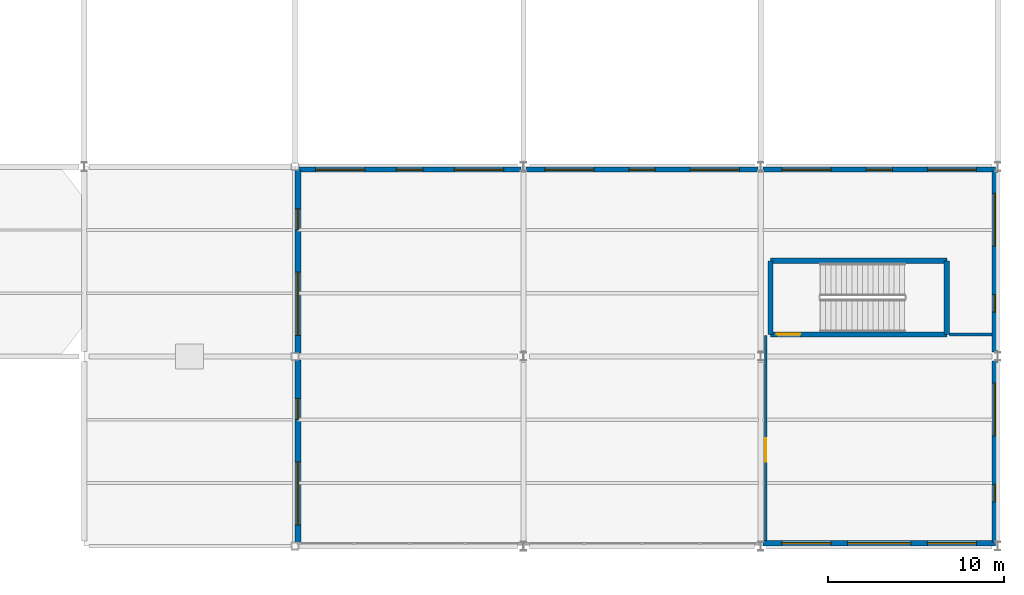
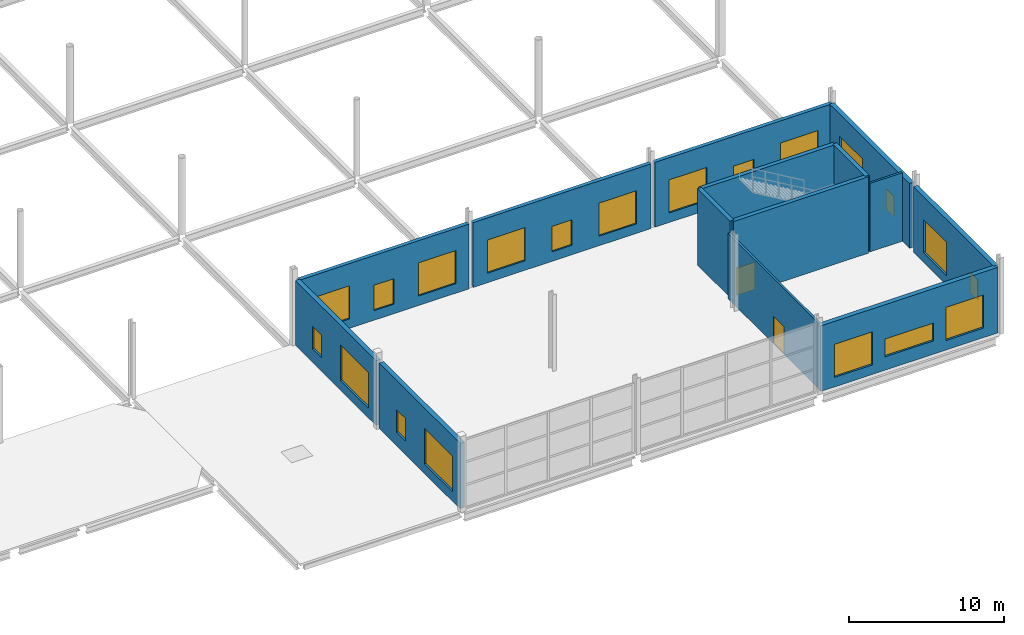
# One storey, part 172 of 191: 20 windows, 14 walls, 2 doors, 22 openings.
"""IFC4 building model written with IfcOpenShell, lengths in metres."""

import ifcopenshell
import ifcopenshell.guid

model = None  # the IFC model being written
_history = None  # IfcOwnerHistory: only IFC2X3 demands one
_inside = {}  # id of a spatial element -> (the spatial element, [elements in it])
_under = {}  # id of a project, library or spatial element -> (it, [spatial elements below it])
_declared = {}  # id of a project -> (the project, [libraries it declares])
_typed = {}  # id of a type object -> (the type object, [elements of that type])
_made_of = {}  # id of a material, layer set ... -> (it, [elements and type objects made of it])


def new_model(schema):
    """Start an empty IFC model of exactly this schema.

    Asked for "IFC4X3", IfcOpenShell would pick the latest addendum, in which some entities
    have other attributes; the version numbers below select the first issue.
    IFC2X3 requires an IfcOwnerHistory on every rooted entity: one is made here for all.
    """
    global model, _history
    if schema == "IFC4X3":
        model = ifcopenshell.file(schema_version=(4, 3, 0, 0))
    else:
        model = ifcopenshell.file(schema=schema)
    _inside.clear()
    _under.clear()
    _declared.clear()
    _typed.clear()
    _made_of.clear()
    _history = None
    if model.schema == "IFC2X3":
        org = make("IfcOrganization", Name="unknown")
        user = make(
            "IfcPersonAndOrganization",
            ThePerson=make("IfcPerson", FamilyName="unknown"),
            TheOrganization=org,
        )
        app = make(
            "IfcApplication",
            ApplicationDeveloper=org,
            Version="unknown",
            ApplicationFullName="unknown",
            ApplicationIdentifier="unknown",
        )
        _history = make(
            "IfcOwnerHistory",
            OwningUser=user,
            OwningApplication=app,
            ChangeAction="ADDED",
            CreationDate=0,
        )
    return model


def make(cls, **values):
    """One entity of the class cls with the attributes given. An attribute that is None is left unset."""
    return model.create_entity(
        cls, **{name: value for name, value in values.items() if value is not None}
    )


def rooted(cls, **values):
    """An entity with a GlobalId (a new one), such as an element, a storey or a relation."""
    return make(cls, GlobalId=ifcopenshell.guid.new(), OwnerHistory=_history, **values)


def si_unit(unit_type, name, prefix=None):
    """IfcSIUnit, for example si_unit("LENGTHUNIT", "METRE", prefix="MILLI")."""
    return make("IfcSIUnit", UnitType=unit_type, Prefix=prefix, Name=name)


def assignment(units):
    """IfcUnitAssignment: the units of a project."""
    return None if units is None else make("IfcUnitAssignment", Units=units)


def point(xyz):
    """IfcCartesianPoint."""
    return None if xyz is None else make("IfcCartesianPoint", Coordinates=xyz)


def direction(xyz):
    """IfcDirection."""
    return None if xyz is None else make("IfcDirection", DirectionRatios=xyz)


def frame(location, z_axis=None, x_axis=None):
    """IfcAxis2Placement3D, a coordinate frame: its origin and axes. An axis left out is left unset."""
    return make(
        "IfcAxis2Placement3D",
        Location=point(location),
        Axis=direction(z_axis),
        RefDirection=direction(x_axis),
    )


def frame_2d(location, x_axis=None):
    """IfcAxis2Placement2D, a coordinate frame in the plane: its origin and x axis."""
    return make(
        "IfcAxis2Placement2D", Location=point(location), RefDirection=direction(x_axis)
    )


def origin():
    """The frame at (0, 0, 0) with its axes left unset."""
    return frame((0.0, 0.0, 0.0))


def place(relative_to, where):
    """IfcLocalPlacement: puts the frame where relative to a parent placement (None: the world)."""
    return make(
        "IfcLocalPlacement", PlacementRelTo=relative_to, RelativePlacement=where
    )


def context(
    kind, dimensions, precision=None, world=None, true_north=None, identifier=None
):
    """IfcGeometricRepresentationContext, for example the 3D "Model" context."""
    return make(
        "IfcGeometricRepresentationContext",
        ContextIdentifier=identifier,
        ContextType=kind,
        CoordinateSpaceDimension=dimensions,
        Precision=precision,
        WorldCoordinateSystem=world,
        TrueNorth=true_north,
    )


def subcontext(parent, identifier, kind, view, scale=None):
    """IfcGeometricRepresentationSubContext, for example "Body" below "Model"."""
    return make(
        "IfcGeometricRepresentationSubContext",
        ContextIdentifier=identifier,
        ContextType=kind,
        ParentContext=parent,
        TargetScale=scale,
        TargetView=view,
    )


def project(units=None, contexts=None):
    """IfcProject with its units and contexts."""
    return rooted(
        "IfcProject",
        Name="project",
        RepresentationContexts=contexts,
        UnitsInContext=assignment(units),
    )


def spatial(cls, under=None, at=None, **own):
    """A site, building, storey or space (cls), placed at a placement, below another one or the project."""
    s = rooted(cls, ObjectPlacement=at, **own)
    if under is not None:
        _under.setdefault(under.id(), (under, []))[1].append(s)
    return s


def profile(cls, at=None, kind="AREA", **sizes):
    """A parametric profile (cls). Its sizes go by their IFC names, for example OverallWidth=200.0."""
    return make(cls, ProfileType=kind, Position=at, **sizes)


def rectangle(**sizes):
    """IfcRectangleProfileDef."""
    return profile("IfcRectangleProfileDef", **sizes)


def extrude(swept, where, along, depth):
    """IfcExtrudedAreaSolid: the profile swept, set in the frame where, extruded along a direction by depth."""
    return make(
        "IfcExtrudedAreaSolid",
        SweptArea=swept,
        Position=where,
        ExtrudedDirection=direction(along),
        Depth=depth,
    )


def shape(context_of_items, identifier, shape_type, items):
    """IfcShapeRepresentation: the items that make up one representation, for example the "Body"."""
    return make(
        "IfcShapeRepresentation",
        ContextOfItems=context_of_items,
        RepresentationIdentifier=identifier,
        RepresentationType=shape_type,
        Items=items,
    )


def material(Name=None, Category=None):
    """IfcMaterial."""
    return make("IfcMaterial", Name=Name, Category=Category)


def layer(
    of_material, thickness, ventilated=None, Name=None, Category=None, Priority=None
):
    """IfcMaterialLayer: one layer of a wall or slab, of a material (None: an air gap)."""
    return make(
        "IfcMaterialLayer",
        Material=of_material,
        LayerThickness=thickness,
        IsVentilated=ventilated,
        Name=Name,
        Category=Category,
        Priority=Priority,
    )


def layer_set(layers, Name=None):
    """IfcMaterialLayerSet."""
    return make("IfcMaterialLayerSet", MaterialLayers=layers, LayerSetName=Name)


def made_of(thing, what):
    """Note that an element or type object is made of a material, layer set ...; save() writes the relation."""
    if what is not None:
        _made_of.setdefault(what.id(), (what, []))[1].append(thing)
    return thing


def type_object(cls, material=None, **own):
    """A type object (cls), such as IfcWallType, which elements share."""
    return made_of(rooted(cls, **own), material)


def element(
    cls,
    number,
    at=None,
    inside=None,
    cuts=None,
    type_object=None,
    material=None,
    context=None,
    identifier="Body",
    shape_type=None,
    held_by="IfcProductDefinitionShape",
    body=None,
    shapes=None,
    **own,
):
    """One element of the class cls, such as IfcWall. Its Tag is "e" and its number.

    at: its placement. inside: the storey or other place that contains it. cuts: it is an
    opening in that element (IfcRelVoidsElement). A single representation is given by context,
    identifier, shape_type and body (its items); several are given by shapes. held_by: the class
    of the entity that holds the representations. save() writes the other relations.
    """
    e = rooted(cls, Tag="e%d" % number, ObjectPlacement=at, **own)
    if body is not None:
        shapes = [shape(context, identifier, shape_type, body)]
    if shapes is not None:
        e.Representation = make(held_by, Representations=shapes)
    if inside is not None:
        _inside.setdefault(inside.id(), (inside, []))[1].append(e)
    if cuts is not None:
        rooted(
            "IfcRelVoidsElement", RelatingBuildingElement=cuts, RelatedOpeningElement=e
        )
    if type_object is not None:
        _typed.setdefault(type_object.id(), (type_object, []))[1].append(e)
    return made_of(e, material)


def fill(opening, filler):
    """IfcRelFillsElement: the door or window that sits in an opening."""
    return rooted(
        "IfcRelFillsElement",
        RelatingOpeningElement=opening,
        RelatedBuildingElement=filler,
    )


def aggregate(whole, parts):
    """IfcRelAggregates: a whole, such as a stair, and the parts it consists of."""
    return rooted("IfcRelAggregates", RelatingObject=whole, RelatedObjects=parts)


def save(model, path):
    """Write the relations noted so far, then the file.

    IfcRelAggregates (storeys below a building ...), IfcRelContainedInSpatialStructure (elements
    in a storey), IfcRelDefinesByType, IfcRelAssociatesMaterial and IfcRelDeclares: one each for
    every whole, place, type object, material and project.
    """
    for whole, parts in _under.values():
        aggregate(whole, parts)
    for where, things in _inside.values():
        rooted(
            "IfcRelContainedInSpatialStructure",
            RelatedElements=things,
            RelatingStructure=where,
        )
    for kind, things in _typed.values():
        rooted("IfcRelDefinesByType", RelatedObjects=things, RelatingType=kind)
    for what, things in _made_of.values():
        rooted("IfcRelAssociatesMaterial", RelatedObjects=things, RelatingMaterial=what)
    for by, libraries in _declared.values():
        rooted("IfcRelDeclares", RelatingContext=by, RelatedDefinitions=libraries)
    model.write(path)


model = new_model("IFC4")

# Units and contexts
model_context = context("Model", 3, precision=1e-05, world=origin(), true_north=direction((0.0, 1.0)))
body_context = subcontext(model_context, "Body", "Model", "MODEL_VIEW")
ifc_project = project(units=[si_unit("LENGTHUNIT", "METRE"), si_unit("AREAUNIT", "SQUARE_METRE"), si_unit("VOLUMEUNIT", "CUBIC_METRE"), si_unit("PLANEANGLEUNIT", "RADIAN"), si_unit("MASSUNIT", "GRAM", prefix="KILO")], contexts=[model_context])

# Site, building, storey
site_placement = place(None, origin())
site = spatial("IfcSite", under=ifc_project, at=site_placement, CompositionType="ELEMENT")
building_placement = place(site_placement, origin())
building = spatial("IfcBuilding", under=site, at=building_placement, Name="Tamarisk Ironworks Central Station", CompositionType="ELEMENT")
storey_placement = place(building_placement, frame((0.0, 0.0, 6.60009765625)))
storey = spatial("IfcBuildingStorey", under=building, at=storey_placement, Name="L01", CompositionType="ELEMENT", Elevation=6.60009765625)

# Wall, openings, windows
ifc_material_1 = material(Name="Clay facing brickwork and mortar", Category="masonry")
ifc_layer_1 = layer(ifc_material_1, 0.280029296875)
ifc_layer_set_1 = layer_set([ifc_layer_1], Name="Clay facing brickwork and mortar")
wall_type_1 = type_object("IfcWallType", Name="WL-BR280", PredefinedType="STANDARD", material=ifc_layer_set_1)
wall_1_placement = place(storey_placement, frame((140.197998046875, 21.429931640625, 0.0), z_axis=(0.0, 0.0, 1.0), x_axis=(1.0, 0.0, 0.0)))
wall_1 = element("IfcWall", 1, at=wall_1_placement, inside=storey, type_object=wall_type_1, Name="L01 brick facade wall 0119", PredefinedType="STANDARD", context=body_context, shape_type="SweptSolid", body=[
    extrude(rectangle(XDim=12.654052734375, YDim=0.280029296875, at=frame_2d((6.3271484375, 0.0))), origin(), (0.0, 0.0, 1.0), 5.08984375),
])
opening_1_placement = place(wall_1_placement, frame((0.97607421875, 0.0, 0.75)))
opening_1 = element("IfcOpeningElement", 2, at=opening_1_placement, cuts=wall_1, Name="Opening W04", PredefinedType="OPENING", context=body_context, shape_type="SweptSolid", body=[
    extrude(rectangle(XDim=2.800048828125, YDim=2.60009765625, at=frame_2d((1.39990234375, 1.300048828125))), frame((0.0, 0.15185546875, 0.0), z_axis=(0.0, -1.0, 0.0), x_axis=(1.0, 0.0, 0.0)), (0.0, 0.0, 1.0), 0.303955078125),
])
opening_2_placement = place(wall_1_placement, frame((5.576904296875, 0.0, 0.75)))
opening_2 = element("IfcOpeningElement", 3, at=opening_2_placement, cuts=wall_1, Name="Opening W11", PredefinedType="OPENING", context=body_context, shape_type="SweptSolid", body=[
    extrude(rectangle(XDim=1.5, YDim=2.0, at=frame_2d((0.75, 1.0))), frame((0.0, 0.15185546875, 0.0), z_axis=(0.0, -1.0, 0.0), x_axis=(1.0, 0.0, 0.0)), (0.0, 0.0, 1.0), 0.303955078125),
])
opening_3_placement = place(wall_1_placement, frame((8.8779296875, 0.0, 0.75)))
opening_3 = element("IfcOpeningElement", 4, at=opening_3_placement, cuts=wall_1, Name="Opening W04", PredefinedType="OPENING", context=body_context, shape_type="SweptSolid", body=[
    extrude(rectangle(XDim=2.800048828125, YDim=2.60009765625, at=frame_2d((1.39990234375, 1.300048828125))), frame((0.0, 0.15185546875, 0.0), z_axis=(0.0, -1.0, 0.0), x_axis=(1.0, 0.0, 0.0)), (0.0, 0.0, 1.0), 0.303955078125),
])
ifc_material_2 = material(Name="Laminated solar-control low-E glass", Category="glass")
window_type_1 = type_object("IfcWindowType", Name="WN-04", PartitioningType="SINGLE_PANEL", PredefinedType="WINDOW", material=ifc_material_2)
window_1_placement = place(opening_1_placement, origin())
window_1 = element("IfcWindow", 5, at=window_1_placement, inside=storey, type_object=window_type_1, Name="L01 exterior window 0199", OverallHeight=2.60009765625, OverallWidth=2.800048828125, PartitioningType="DOUBLE_PANEL_VERTICAL", PredefinedType="WINDOW", context=body_context, shape_type="SweptSolid", body=[
    extrude(rectangle(XDim=2.800048828125, YDim=2.60009765625, at=frame_2d((1.39990234375, 1.300048828125))), frame((0.0, 0.030029296875, 0.0), z_axis=(0.0, -1.0, 0.0), x_axis=(1.0, 0.0, 0.0)), (0.0, 0.0, 1.0), 0.06005859375),
])
fill(opening_1, window_1)
window_2_placement = place(opening_3_placement, origin())
window_2 = element("IfcWindow", 6, at=window_2_placement, inside=storey, type_object=window_type_1, Name="L01 exterior window 0201", OverallHeight=2.60009765625, OverallWidth=2.800048828125, PartitioningType="DOUBLE_PANEL_VERTICAL", PredefinedType="WINDOW", context=body_context, shape_type="SweptSolid", body=[
    extrude(rectangle(XDim=2.800048828125, YDim=2.60009765625, at=frame_2d((1.39990234375, 1.300048828125))), frame((0.0, 0.030029296875, 0.0), z_axis=(0.0, -1.0, 0.0), x_axis=(1.0, 0.0, 0.0)), (0.0, 0.0, 1.0), 0.06005859375),
])
fill(opening_3, window_2)
window_type_2 = type_object("IfcWindowType", Name="WN-11", PartitioningType="SINGLE_PANEL", PredefinedType="WINDOW", material=ifc_material_2)
window_3_placement = place(opening_2_placement, origin())
window_3 = element("IfcWindow", 7, at=window_3_placement, inside=storey, type_object=window_type_2, Name="L01 exterior window 0200", OverallHeight=2.0, OverallWidth=1.5, PartitioningType="DOUBLE_PANEL_VERTICAL", PredefinedType="WINDOW", context=body_context, shape_type="SweptSolid", body=[
    extrude(rectangle(XDim=1.5, YDim=2.0, at=frame_2d((0.75, 1.0))), frame((0.0, 0.030029296875, 0.0), z_axis=(0.0, -1.0, 0.0), x_axis=(1.0, 0.0, 0.0)), (0.0, 0.0, 1.0), 0.06005859375),
])
fill(opening_2, window_3)

wall_2_placement = place(storey_placement, frame((153.14794921875, 21.429931640625, 0.0), z_axis=(0.0, 0.0, 1.0), x_axis=(1.0, 0.0, 0.0)))
wall_2 = element("IfcWall", 8, at=wall_2_placement, inside=storey, type_object=wall_type_1, Name="L01 brick facade wall 0120", PredefinedType="STANDARD", context=body_context, shape_type="SweptSolid", body=[
    extrude(rectangle(XDim=13.2041015625, YDim=0.280029296875, at=frame_2d((6.60205078125, 0.0))), origin(), (0.0, 0.0, 1.0), 5.08984375),
])
opening_4_placement = place(wall_2_placement, frame((1.06689453125, 0.0, 0.75)))
opening_4 = element("IfcOpeningElement", 9, at=opening_4_placement, cuts=wall_2, Name="Opening W04", PredefinedType="OPENING", context=body_context, shape_type="SweptSolid", body=[
    extrude(rectangle(XDim=2.800048828125, YDim=2.60009765625, at=frame_2d((1.39990234375, 1.300048828125))), frame((0.0, 0.15185546875, 0.0), z_axis=(0.0, -1.0, 0.0), x_axis=(1.0, 0.0, 0.0)), (0.0, 0.0, 1.0), 0.303955078125),
])
opening_5_placement = place(wall_2_placement, frame((5.85205078125, 0.0, 0.75)))
opening_5 = element("IfcOpeningElement", 10, at=opening_5_placement, cuts=wall_2, Name="Opening W11", PredefinedType="OPENING", context=body_context, shape_type="SweptSolid", body=[
    extrude(rectangle(XDim=1.5, YDim=2.0, at=frame_2d((0.75, 1.0))), frame((0.0, 0.15185546875, 0.0), z_axis=(0.0, -1.0, 0.0), x_axis=(1.0, 0.0, 0.0)), (0.0, 0.0, 1.0), 0.303955078125),
])
opening_6_placement = place(wall_2_placement, frame((9.3369140625, 0.0, 0.75)))
opening_6 = element("IfcOpeningElement", 11, at=opening_6_placement, cuts=wall_2, Name="Opening W04", PredefinedType="OPENING", context=body_context, shape_type="SweptSolid", body=[
    extrude(rectangle(XDim=2.800048828125, YDim=2.60009765625, at=frame_2d((1.39990234375, 1.300048828125))), frame((0.0, 0.15185546875, 0.0), z_axis=(0.0, -1.0, 0.0), x_axis=(1.0, 0.0, 0.0)), (0.0, 0.0, 1.0), 0.303955078125),
])
window_4_placement = place(opening_4_placement, origin())
window_4 = element("IfcWindow", 12, at=window_4_placement, inside=storey, type_object=window_type_1, Name="L01 exterior window 0202", OverallHeight=2.60009765625, OverallWidth=2.800048828125, PartitioningType="DOUBLE_PANEL_VERTICAL", PredefinedType="WINDOW", context=body_context, shape_type="SweptSolid", body=[
    extrude(rectangle(XDim=2.800048828125, YDim=2.60009765625, at=frame_2d((1.39990234375, 1.300048828125))), frame((0.0, 0.030029296875, 0.0), z_axis=(0.0, -1.0, 0.0), x_axis=(1.0, 0.0, 0.0)), (0.0, 0.0, 1.0), 0.06005859375),
])
fill(opening_4, window_4)
window_5_placement = place(opening_6_placement, origin())
window_5 = element("IfcWindow", 13, at=window_5_placement, inside=storey, type_object=window_type_1, Name="L01 exterior window 0204", OverallHeight=2.60009765625, OverallWidth=2.800048828125, PartitioningType="DOUBLE_PANEL_VERTICAL", PredefinedType="WINDOW", context=body_context, shape_type="SweptSolid", body=[
    extrude(rectangle(XDim=2.800048828125, YDim=2.60009765625, at=frame_2d((1.39990234375, 1.300048828125))), frame((0.0, 0.030029296875, 0.0), z_axis=(0.0, -1.0, 0.0), x_axis=(1.0, 0.0, 0.0)), (0.0, 0.0, 1.0), 0.06005859375),
])
fill(opening_6, window_5)
window_6_placement = place(opening_5_placement, origin())
window_6 = element("IfcWindow", 14, at=window_6_placement, inside=storey, type_object=window_type_2, Name="L01 exterior window 0203", OverallHeight=2.0, OverallWidth=1.5, PartitioningType="DOUBLE_PANEL_VERTICAL", PredefinedType="WINDOW", context=body_context, shape_type="SweptSolid", body=[
    extrude(rectangle(XDim=1.5, YDim=2.0, at=frame_2d((0.75, 1.0))), frame((0.0, 0.030029296875, 0.0), z_axis=(0.0, -1.0, 0.0), x_axis=(1.0, 0.0, 0.0)), (0.0, 0.0, 1.0), 0.06005859375),
])
fill(opening_5, window_6)

wall_3_placement = place(storey_placement, frame((166.64794921875, 21.429931640625, 0.0), z_axis=(0.0, 0.0, 1.0), x_axis=(1.0, 0.0, 0.0)))
wall_3 = element("IfcWall", 15, at=wall_3_placement, inside=storey, type_object=wall_type_1, Name="L01 brick facade wall 0121", PredefinedType="STANDARD", context=body_context, shape_type="SweptSolid", body=[
    extrude(rectangle(XDim=13.2041015625, YDim=0.280029296875, at=frame_2d((6.60205078125, 0.0))), origin(), (0.0, 0.0, 1.0), 5.08984375),
])
opening_7_placement = place(wall_3_placement, frame((1.06689453125, 0.0, 0.75)))
opening_7 = element("IfcOpeningElement", 16, at=opening_7_placement, cuts=wall_3, Name="Opening W04", PredefinedType="OPENING", context=body_context, shape_type="SweptSolid", body=[
    extrude(rectangle(XDim=2.800048828125, YDim=2.60009765625, at=frame_2d((1.39990234375, 1.300048828125))), frame((0.0, 0.15185546875, 0.0), z_axis=(0.0, -1.0, 0.0), x_axis=(1.0, 0.0, 0.0)), (0.0, 0.0, 1.0), 0.303955078125),
])
opening_8_placement = place(wall_3_placement, frame((5.85205078125, 0.0, 0.75)))
opening_8 = element("IfcOpeningElement", 17, at=opening_8_placement, cuts=wall_3, Name="Opening W11", PredefinedType="OPENING", context=body_context, shape_type="SweptSolid", body=[
    extrude(rectangle(XDim=1.5, YDim=2.0, at=frame_2d((0.75, 1.0))), frame((0.0, 0.15185546875, 0.0), z_axis=(0.0, -1.0, 0.0), x_axis=(1.0, 0.0, 0.0)), (0.0, 0.0, 1.0), 0.303955078125),
])
opening_9_placement = place(wall_3_placement, frame((9.3369140625, 0.0, 0.75)))
opening_9 = element("IfcOpeningElement", 18, at=opening_9_placement, cuts=wall_3, Name="Opening W04", PredefinedType="OPENING", context=body_context, shape_type="SweptSolid", body=[
    extrude(rectangle(XDim=2.800048828125, YDim=2.60009765625, at=frame_2d((1.39990234375, 1.300048828125))), frame((0.0, 0.15185546875, 0.0), z_axis=(0.0, -1.0, 0.0), x_axis=(1.0, 0.0, 0.0)), (0.0, 0.0, 1.0), 0.303955078125),
])
window_7_placement = place(opening_7_placement, origin())
window_7 = element("IfcWindow", 19, at=window_7_placement, inside=storey, type_object=window_type_1, Name="L01 exterior window 0205", OverallHeight=2.60009765625, OverallWidth=2.800048828125, PartitioningType="DOUBLE_PANEL_VERTICAL", PredefinedType="WINDOW", context=body_context, shape_type="SweptSolid", body=[
    extrude(rectangle(XDim=2.800048828125, YDim=2.60009765625, at=frame_2d((1.39990234375, 1.300048828125))), frame((0.0, 0.030029296875, 0.0), z_axis=(0.0, -1.0, 0.0), x_axis=(1.0, 0.0, 0.0)), (0.0, 0.0, 1.0), 0.06005859375),
])
fill(opening_7, window_7)
window_8_placement = place(opening_9_placement, origin())
window_8 = element("IfcWindow", 20, at=window_8_placement, inside=storey, type_object=window_type_1, Name="L01 exterior window 0207", OverallHeight=2.60009765625, OverallWidth=2.800048828125, PartitioningType="DOUBLE_PANEL_VERTICAL", PredefinedType="WINDOW", context=body_context, shape_type="SweptSolid", body=[
    extrude(rectangle(XDim=2.800048828125, YDim=2.60009765625, at=frame_2d((1.39990234375, 1.300048828125))), frame((0.0, 0.030029296875, 0.0), z_axis=(0.0, -1.0, 0.0), x_axis=(1.0, 0.0, 0.0)), (0.0, 0.0, 1.0), 0.06005859375),
])
fill(opening_9, window_8)
window_9_placement = place(opening_8_placement, origin())
window_9 = element("IfcWindow", 21, at=window_9_placement, inside=storey, type_object=window_type_2, Name="L01 exterior window 0206", OverallHeight=2.0, OverallWidth=1.5, PartitioningType="DOUBLE_PANEL_VERTICAL", PredefinedType="WINDOW", context=body_context, shape_type="SweptSolid", body=[
    extrude(rectangle(XDim=1.5, YDim=2.0, at=frame_2d((0.75, 1.0))), frame((0.0, 0.030029296875, 0.0), z_axis=(0.0, -1.0, 0.0), x_axis=(1.0, 0.0, 0.0)), (0.0, 0.0, 1.0), 0.06005859375),
])
fill(opening_8, window_9)

ifc_layer_2 = layer(ifc_material_1, 0.340087890625)
ifc_layer_set_2 = layer_set([ifc_layer_2], Name="Clay facing brickwork and mortar")
wall_type_2 = type_object("IfcWallType", Name="WL-BR340", PredefinedType="STANDARD", material=ifc_layer_set_2)
wall_4_placement = place(storey_placement, frame((166.64794921875, 0.169921875, 0.0), z_axis=(0.0, 0.0, 1.0), x_axis=(1.0, 0.0, 0.0)))
wall_4 = element("IfcWall", 22, at=wall_4_placement, inside=storey, type_object=wall_type_2, Name="L01 brick facade wall 0118", PredefinedType="STANDARD", context=body_context, shape_type="SweptSolid", body=[
    extrude(rectangle(XDim=13.2041015625, YDim=0.340087890625, at=frame_2d((6.60205078125, 0.0))), origin(), (0.0, 0.0, 1.0), 5.14990234375),
])
opening_10_placement = place(wall_4_placement, frame((1.06689453125, 0.0, 0.75)))
opening_10 = element("IfcOpeningElement", 23, at=opening_10_placement, cuts=wall_4, Name="Opening W04", PredefinedType="OPENING", context=body_context, shape_type="SweptSolid", body=[
    extrude(rectangle(XDim=2.800048828125, YDim=2.60009765625, at=frame_2d((1.39990234375, 1.300048828125))), frame((0.0, 0.18212890625, 0.0), z_axis=(0.0, -1.0, 0.0), x_axis=(1.0, 0.0, 0.0)), (0.0, 0.0, 1.0), 0.364013671875),
])
opening_11_placement = place(wall_4_placement, frame((4.802001953125, 0.0, 1.050048828125)))
opening_11 = element("IfcOpeningElement", 24, at=opening_11_placement, cuts=wall_4, Name="Opening W15", PredefinedType="OPENING", context=body_context, shape_type="SweptSolid", body=[
    extrude(rectangle(XDim=3.60009765625, YDim=1.39990234375, at=frame_2d((1.800048828125, 0.699951171875))), frame((0.0, 0.18212890625, 0.0), z_axis=(0.0, -1.0, 0.0), x_axis=(1.0, 0.0, 0.0)), (0.0, 0.0, 1.0), 0.364013671875),
])
opening_12_placement = place(wall_4_placement, frame((9.3369140625, 0.0, 0.75)))
opening_12 = element("IfcOpeningElement", 25, at=opening_12_placement, cuts=wall_4, Name="Opening W04", PredefinedType="OPENING", context=body_context, shape_type="SweptSolid", body=[
    extrude(rectangle(XDim=2.800048828125, YDim=2.60009765625, at=frame_2d((1.39990234375, 1.300048828125))), frame((0.0, 0.18212890625, 0.0), z_axis=(0.0, -1.0, 0.0), x_axis=(1.0, 0.0, 0.0)), (0.0, 0.0, 1.0), 0.364013671875),
])
window_10_placement = place(opening_10_placement, origin())
window_10 = element("IfcWindow", 26, at=window_10_placement, inside=storey, type_object=window_type_1, Name="L01 exterior window 0196", OverallHeight=2.60009765625, OverallWidth=2.800048828125, PartitioningType="DOUBLE_PANEL_VERTICAL", PredefinedType="WINDOW", context=body_context, shape_type="SweptSolid", body=[
    extrude(rectangle(XDim=2.800048828125, YDim=2.60009765625, at=frame_2d((1.39990234375, 1.300048828125))), frame((0.0, 0.030029296875, 0.0), z_axis=(0.0, -1.0, 0.0), x_axis=(1.0, 0.0, 0.0)), (0.0, 0.0, 1.0), 0.06005859375),
])
fill(opening_10, window_10)
window_11_placement = place(opening_12_placement, origin())
window_11 = element("IfcWindow", 27, at=window_11_placement, inside=storey, type_object=window_type_1, Name="L01 exterior window 0198", OverallHeight=2.60009765625, OverallWidth=2.800048828125, PartitioningType="DOUBLE_PANEL_VERTICAL", PredefinedType="WINDOW", context=body_context, shape_type="SweptSolid", body=[
    extrude(rectangle(XDim=2.800048828125, YDim=2.60009765625, at=frame_2d((1.39990234375, 1.300048828125))), frame((0.0, 0.030029296875, 0.0), z_axis=(0.0, -1.0, 0.0), x_axis=(1.0, 0.0, 0.0)), (0.0, 0.0, 1.0), 0.06005859375),
])
fill(opening_12, window_11)
window_type_3 = type_object("IfcWindowType", Name="WN-15", PartitioningType="SINGLE_PANEL", PredefinedType="WINDOW", material=ifc_material_2)
window_12_placement = place(opening_11_placement, origin())
window_12 = element("IfcWindow", 28, at=window_12_placement, inside=storey, type_object=window_type_3, Name="L01 exterior window 0197", OverallHeight=1.39990234375, OverallWidth=3.60009765625, PartitioningType="DOUBLE_PANEL_VERTICAL", PredefinedType="WINDOW", context=body_context, shape_type="SweptSolid", body=[
    extrude(rectangle(XDim=3.60009765625, YDim=1.39990234375, at=frame_2d((1.800048828125, 0.699951171875))), frame((0.0, 0.030029296875, 0.0), z_axis=(0.0, -1.0, 0.0), x_axis=(1.0, 0.0, 0.0)), (0.0, 0.0, 1.0), 0.06005859375),
])
fill(opening_11, window_12)

wall_5_placement = place(storey_placement, frame((140.169921875, 0.197998046875, 0.0), z_axis=(0.0, 0.0, 1.0), x_axis=(0.0, 1.0, 0.0)))
wall_5 = element("IfcWall", 29, at=wall_5_placement, inside=storey, type_object=wall_type_2, Name="L01 brick facade wall 0122", PredefinedType="STANDARD", context=body_context, shape_type="SweptSolid", body=[
    extrude(rectangle(XDim=10.404052734375, YDim=0.340087890625, at=frame_2d((5.2021484375, 0.0))), origin(), (0.0, 0.0, 1.0), 5.14990234375),
])
opening_13_placement = place(wall_5_placement, frame((1.0009765625, 0.0, 0.75)))
opening_13 = element("IfcOpeningElement", 30, at=opening_13_placement, cuts=wall_5, Name="Opening W01", PredefinedType="OPENING", context=body_context, shape_type="SweptSolid", body=[
    extrude(rectangle(XDim=3.60009765625, YDim=2.800048828125, at=frame_2d((1.800048828125, 1.39990234375))), frame((0.0, 0.18212890625, 0.0), z_axis=(0.0, -1.0, 0.0), x_axis=(1.0, 0.0, 0.0)), (0.0, 0.0, 1.0), 0.364013671875),
])
opening_14_placement = place(wall_5_placement, frame((7.0029296875, 0.0, 1.050048828125)))
opening_14 = element("IfcOpeningElement", 31, at=opening_14_placement, cuts=wall_5, Name="Opening W13", PredefinedType="OPENING", context=body_context, shape_type="SweptSolid", body=[
    extrude(rectangle(XDim=1.199951171875, YDim=1.800048828125, at=frame_2d((0.60009765625, 0.89990234375))), frame((0.0, 0.18212890625, 0.0), z_axis=(0.0, -1.0, 0.0), x_axis=(1.0, 0.0, 0.0)), (0.0, 0.0, 1.0), 0.364013671875),
])
window_type_4 = type_object("IfcWindowType", Name="WN-01", PartitioningType="SINGLE_PANEL", PredefinedType="WINDOW", material=ifc_material_2)
window_13_placement = place(opening_13_placement, origin())
window_13 = element("IfcWindow", 32, at=window_13_placement, inside=storey, type_object=window_type_4, Name="L01 exterior window 0208", OverallHeight=2.800048828125, OverallWidth=3.60009765625, PartitioningType="DOUBLE_PANEL_VERTICAL", PredefinedType="WINDOW", context=body_context, shape_type="SweptSolid", body=[
    extrude(rectangle(XDim=3.60009765625, YDim=2.800048828125, at=frame_2d((1.800048828125, 1.39990234375))), frame((0.0, 0.030029296875, 0.0), z_axis=(0.0, -1.0, 0.0), x_axis=(1.0, 0.0, 0.0)), (0.0, 0.0, 1.0), 0.06005859375),
])
fill(opening_13, window_13)
window_type_5 = type_object("IfcWindowType", Name="WN-13", PartitioningType="SINGLE_PANEL", PredefinedType="WINDOW", material=ifc_material_2)
window_14_placement = place(opening_14_placement, origin())
window_14 = element("IfcWindow", 33, at=window_14_placement, inside=storey, type_object=window_type_5, Name="L01 exterior window 0209", OverallHeight=1.800048828125, OverallWidth=1.199951171875, PartitioningType="DOUBLE_PANEL_VERTICAL", PredefinedType="WINDOW", context=body_context, shape_type="SweptSolid", body=[
    extrude(rectangle(XDim=1.199951171875, YDim=1.800048828125, at=frame_2d((0.60009765625, 0.89990234375))), frame((0.0, 0.030029296875, 0.0), z_axis=(0.0, -1.0, 0.0), x_axis=(1.0, 0.0, 0.0)), (0.0, 0.0, 1.0), 0.06005859375),
])
fill(opening_14, window_14)

wall_6_placement = place(storey_placement, frame((179.830078125, 10.552001953125, 0.0), z_axis=(0.0, 0.0, 1.0), x_axis=(0.0, -1.0, 0.0)))
wall_6 = element("IfcWall", 34, at=wall_6_placement, inside=storey, type_object=wall_type_2, Name="L01 brick facade wall 0123", PredefinedType="STANDARD", context=body_context, shape_type="SweptSolid", body=[
    extrude(rectangle(XDim=10.303955078125, YDim=0.340087890625, at=frame_2d((5.15185546875, 0.0))), origin(), (0.0, 0.0, 1.0), 5.14990234375),
])
opening_15_placement = place(wall_6_placement, frame((1.27587890625, 0.0, 0.75)))
opening_15 = element("IfcOpeningElement", 35, at=opening_15_placement, cuts=wall_6, Name="Opening W03", PredefinedType="OPENING", context=body_context, shape_type="SweptSolid", body=[
    extrude(rectangle(XDim=3.0, YDim=2.60009765625, at=frame_2d((1.5, 1.300048828125))), frame((0.0, 0.18212890625, 0.0), z_axis=(0.0, -1.0, 0.0), x_axis=(1.0, 0.0, 0.0)), (0.0, 0.0, 1.0), 0.364013671875),
])
opening_16_placement = place(wall_6_placement, frame((7.028076171875, 0.0, 1.050048828125)))
opening_16 = element("IfcOpeningElement", 36, at=opening_16_placement, cuts=wall_6, Name="Opening W14", PredefinedType="OPENING", context=body_context, shape_type="SweptSolid", body=[
    extrude(rectangle(XDim=1.0, YDim=1.60009765625, at=frame_2d((0.5, 0.800048828125))), frame((0.0, 0.18212890625, 0.0), z_axis=(0.0, -1.0, 0.0), x_axis=(1.0, 0.0, 0.0)), (0.0, 0.0, 1.0), 0.364013671875),
])
window_type_6 = type_object("IfcWindowType", Name="WN-03", PartitioningType="SINGLE_PANEL", PredefinedType="WINDOW", material=ifc_material_2)
window_15_placement = place(opening_15_placement, origin())
window_15 = element("IfcWindow", 37, at=window_15_placement, inside=storey, type_object=window_type_6, Name="L01 exterior window 0210", OverallHeight=2.60009765625, OverallWidth=3.0, PartitioningType="DOUBLE_PANEL_VERTICAL", PredefinedType="WINDOW", context=body_context, shape_type="SweptSolid", body=[
    extrude(rectangle(XDim=3.0, YDim=2.60009765625, at=frame_2d((1.5, 1.300048828125))), frame((0.0, 0.030029296875, 0.0), z_axis=(0.0, -1.0, 0.0), x_axis=(1.0, 0.0, 0.0)), (0.0, 0.0, 1.0), 0.06005859375),
])
fill(opening_15, window_15)
window_type_7 = type_object("IfcWindowType", Name="WN-14", PartitioningType="SINGLE_PANEL", PredefinedType="WINDOW", material=ifc_material_2)
window_16_placement = place(opening_16_placement, origin())
window_16 = element("IfcWindow", 38, at=window_16_placement, inside=storey, type_object=window_type_7, Name="L01 exterior window 0211", OverallHeight=1.60009765625, OverallWidth=1.0, PartitioningType="DOUBLE_PANEL_VERTICAL", PredefinedType="WINDOW", context=body_context, shape_type="SweptSolid", body=[
    extrude(rectangle(XDim=1.0, YDim=1.60009765625, at=frame_2d((0.5, 0.800048828125))), frame((0.0, 0.030029296875, 0.0), z_axis=(0.0, -1.0, 0.0), x_axis=(1.0, 0.0, 0.0)), (0.0, 0.0, 1.0), 0.06005859375),
])
fill(opening_16, window_16)

wall_7_placement = place(storey_placement, frame((140.169921875, 10.998046875, 0.0), z_axis=(0.0, 0.0, 1.0), x_axis=(0.0, 1.0, 0.0)))
wall_7 = element("IfcWall", 39, at=wall_7_placement, inside=storey, type_object=wall_type_2, Name="L01 brick facade wall 0124", PredefinedType="STANDARD", context=body_context, shape_type="SweptSolid", body=[
    extrude(rectangle(XDim=10.404052734375, YDim=0.340087890625, at=frame_2d((5.2021484375, 0.0))), origin(), (0.0, 0.0, 1.0), 5.08984375),
])
opening_17_placement = place(wall_7_placement, frame((1.0009765625, 0.0, 0.75)))
opening_17 = element("IfcOpeningElement", 40, at=opening_17_placement, cuts=wall_7, Name="Opening W01", PredefinedType="OPENING", context=body_context, shape_type="SweptSolid", body=[
    extrude(rectangle(XDim=3.60009765625, YDim=2.800048828125, at=frame_2d((1.800048828125, 1.39990234375))), frame((0.0, 0.18212890625, 0.0), z_axis=(0.0, -1.0, 0.0), x_axis=(1.0, 0.0, 0.0)), (0.0, 0.0, 1.0), 0.364013671875),
])
opening_18_placement = place(wall_7_placement, frame((7.0029296875, 0.0, 1.050048828125)))
opening_18 = element("IfcOpeningElement", 41, at=opening_18_placement, cuts=wall_7, Name="Opening W13", PredefinedType="OPENING", context=body_context, shape_type="SweptSolid", body=[
    extrude(rectangle(XDim=1.199951171875, YDim=1.800048828125, at=frame_2d((0.60009765625, 0.89990234375))), frame((0.0, 0.18212890625, 0.0), z_axis=(0.0, -1.0, 0.0), x_axis=(1.0, 0.0, 0.0)), (0.0, 0.0, 1.0), 0.364013671875),
])
window_17_placement = place(opening_17_placement, origin())
window_17 = element("IfcWindow", 42, at=window_17_placement, inside=storey, type_object=window_type_4, Name="L01 exterior window 0212", OverallHeight=2.800048828125, OverallWidth=3.60009765625, PartitioningType="DOUBLE_PANEL_VERTICAL", PredefinedType="WINDOW", context=body_context, shape_type="SweptSolid", body=[
    extrude(rectangle(XDim=3.60009765625, YDim=2.800048828125, at=frame_2d((1.800048828125, 1.39990234375))), frame((0.0, 0.030029296875, 0.0), z_axis=(0.0, -1.0, 0.0), x_axis=(1.0, 0.0, 0.0)), (0.0, 0.0, 1.0), 0.06005859375),
])
fill(opening_17, window_17)
window_18_placement = place(opening_18_placement, origin())
window_18 = element("IfcWindow", 43, at=window_18_placement, inside=storey, type_object=window_type_5, Name="L01 exterior window 0213", OverallHeight=1.800048828125, OverallWidth=1.199951171875, PartitioningType="DOUBLE_PANEL_VERTICAL", PredefinedType="WINDOW", context=body_context, shape_type="SweptSolid", body=[
    extrude(rectangle(XDim=1.199951171875, YDim=1.800048828125, at=frame_2d((0.60009765625, 0.89990234375))), frame((0.0, 0.030029296875, 0.0), z_axis=(0.0, -1.0, 0.0), x_axis=(1.0, 0.0, 0.0)), (0.0, 0.0, 1.0), 0.06005859375),
])
fill(opening_18, window_18)

wall_8_placement = place(storey_placement, frame((179.830078125, 21.35205078125, 0.0), z_axis=(0.0, 0.0, 1.0), x_axis=(0.0, -1.0, 0.0)))
wall_8 = element("IfcWall", 44, at=wall_8_placement, inside=storey, type_object=wall_type_2, Name="L01 brick facade wall 0125", PredefinedType="STANDARD", context=body_context, shape_type="SweptSolid", body=[
    extrude(rectangle(XDim=10.303955078125, YDim=0.340087890625, at=frame_2d((5.15185546875, 0.0))), origin(), (0.0, 0.0, 1.0), 5.08984375),
])
opening_19_placement = place(wall_8_placement, frame((1.27587890625, 0.0, 0.75)))
opening_19 = element("IfcOpeningElement", 45, at=opening_19_placement, cuts=wall_8, Name="Opening W03", PredefinedType="OPENING", context=body_context, shape_type="SweptSolid", body=[
    extrude(rectangle(XDim=3.0, YDim=2.60009765625, at=frame_2d((1.5, 1.300048828125))), frame((0.0, 0.18212890625, 0.0), z_axis=(0.0, -1.0, 0.0), x_axis=(1.0, 0.0, 0.0)), (0.0, 0.0, 1.0), 0.364013671875),
])
opening_20_placement = place(wall_8_placement, frame((7.028076171875, 0.0, 1.050048828125)))
opening_20 = element("IfcOpeningElement", 46, at=opening_20_placement, cuts=wall_8, Name="Opening W14", PredefinedType="OPENING", context=body_context, shape_type="SweptSolid", body=[
    extrude(rectangle(XDim=1.0, YDim=1.60009765625, at=frame_2d((0.5, 0.800048828125))), frame((0.0, 0.18212890625, 0.0), z_axis=(0.0, -1.0, 0.0), x_axis=(1.0, 0.0, 0.0)), (0.0, 0.0, 1.0), 0.364013671875),
])
window_19_placement = place(opening_19_placement, origin())
window_19 = element("IfcWindow", 47, at=window_19_placement, inside=storey, type_object=window_type_6, Name="L01 exterior window 0214", OverallHeight=2.60009765625, OverallWidth=3.0, PartitioningType="DOUBLE_PANEL_VERTICAL", PredefinedType="WINDOW", context=body_context, shape_type="SweptSolid", body=[
    extrude(rectangle(XDim=3.0, YDim=2.60009765625, at=frame_2d((1.5, 1.300048828125))), frame((0.0, 0.030029296875, 0.0), z_axis=(0.0, -1.0, 0.0), x_axis=(1.0, 0.0, 0.0)), (0.0, 0.0, 1.0), 0.06005859375),
])
fill(opening_19, window_19)
window_20_placement = place(opening_20_placement, origin())
window_20 = element("IfcWindow", 48, at=window_20_placement, inside=storey, type_object=window_type_7, Name="L01 exterior window 0215", OverallHeight=1.60009765625, OverallWidth=1.0, PartitioningType="DOUBLE_PANEL_VERTICAL", PredefinedType="WINDOW", context=body_context, shape_type="SweptSolid", body=[
    extrude(rectangle(XDim=1.0, YDim=1.60009765625, at=frame_2d((0.5, 0.800048828125))), frame((0.0, 0.030029296875, 0.0), z_axis=(0.0, -1.0, 0.0), x_axis=(1.0, 0.0, 0.0)), (0.0, 0.0, 1.0), 0.06005859375),
])
fill(opening_20, window_20)

# Wall, opening, door
ifc_material_3 = material(Name="Concrete C50/60", Category="concrete")
ifc_layer_3 = layer(ifc_material_3, 0.300048828125)
ifc_layer_set_3 = layer_set([ifc_layer_3], Name="Concrete C50/60")
wall_type_3 = type_object("IfcWallType", Name="WL-CW300", PredefinedType="SOLIDWALL", material=ifc_layer_set_3)
wall_9_placement = place(storey_placement, frame((167.054931640625, 12.054931640625, 0.0), z_axis=(0.0, 0.0, 1.0), x_axis=(1.0, 0.0, 0.0)))
wall_9 = element("IfcWall", 49, at=wall_9_placement, inside=storey, type_object=wall_type_3, Name="ST-C7 core wall L (L01)", PredefinedType="SOLIDWALL", context=body_context, shape_type="SweptSolid", body=[
    extrude(rectangle(XDim=10.0400390625, YDim=0.300048828125, at=frame_2d((5.02001953125, 0.0))), origin(), (0.0, 0.0, 1.0), 6.0),
])
opening_21_placement = place(wall_9_placement, frame((0.35009765625, 0.0, 0.0048828125)))
opening_21 = element("IfcOpeningElement", 50, at=opening_21_placement, cuts=wall_9, Name="Opening FD05", PredefinedType="OPENING", context=body_context, shape_type="SweptSolid", body=[
    extrude(rectangle(XDim=1.35009765625, YDim=2.14990234375, at=frame_2d((0.675048828125, 1.074951171875))), frame((0.0, 0.162109375, 0.0), z_axis=(0.0, -1.0, 0.0), x_axis=(1.0, 0.0, 0.0)), (0.0, 0.0, 1.0), 0.323974609375),
])
ifc_material_4 = material(Name="Galvanised hollow-metal door steel", Category="steel")
door_type = type_object("IfcDoorType", Name="DR-FD05", OperationType="NOTDEFINED", PredefinedType="DOOR", material=ifc_material_4)
door_1_placement = place(opening_21_placement, origin())
door_1 = element("IfcDoor", 51, at=door_1_placement, inside=storey, type_object=door_type, Name="ST-C7 fire stair door (L01)", OperationType="SINGLE_SWING_RIGHT", OverallHeight=2.14990234375, OverallWidth=1.35009765625, PredefinedType="DOOR", context=body_context, shape_type="SweptSolid", body=[
    extrude(rectangle(XDim=1.35009765625, YDim=2.14990234375, at=frame_2d((0.675048828125, 1.074951171875))), frame((0.0, 0.02490234375, 0.0), z_axis=(0.0, -1.0, 0.0), x_axis=(1.0, 0.0, 0.0)), (0.0, 0.0, 1.0), 0.050048828125),
])
fill(opening_21, door_1)

# Walls
wall_10_placement = place(storey_placement, frame((167.054931640625, 16.2451171875, 0.0), z_axis=(0.0, 0.0, 1.0), x_axis=(1.0, 0.0, 0.0)))
element("IfcWall", 52, at=wall_10_placement, inside=storey, type_object=wall_type_3, Name="ST-C7 core wall R (L01)", PredefinedType="SOLIDWALL", context=body_context, shape_type="SweptSolid", body=[
    extrude(rectangle(XDim=10.0400390625, YDim=0.300048828125, at=frame_2d((5.02001953125, 0.0))), origin(), (0.0, 0.0, 1.0), 6.0),
])
for number, where, z_axis, x_axis, name in (
    (53, (167.054931640625, 12.054931640625, 0.0), (0.0, 0.0, 1.0), (0.0, 1.0, 0.0), "ST-C7 core wall N (L01)"),
    (54, (177.094970703125, 12.054931640625, 0.0), (0.0, 0.0, 1.0), (0.0, 1.0, 0.0), "ST-C7 core wall F (L01)"),
):
    element("IfcWall", number, at=place(storey_placement, frame(where, z_axis=z_axis, x_axis=x_axis)), inside=storey, type_object=wall_type_3, Name=name, PredefinedType="SOLIDWALL", context=body_context, shape_type="SweptSolid", body=[
        extrude(rectangle(XDim=4.190185546875, YDim=0.300048828125, at=frame_2d((2.09521484375, 0.0))), origin(), (0.0, 0.0, 1.0), 6.0),
    ])

# Wall, opening, door
ifc_material_5 = material(Name="Gypsum plasterboard acoustic partition")
ifc_layer_4 = layer(ifc_material_5, 0.14990234375)
ifc_layer_set_4 = layer_set([ifc_layer_4], Name="Gypsum plasterboard acoustic partition")
wall_type_4 = type_object("IfcWallType", Name="WL-PT150", PredefinedType="PARTITIONING", material=ifc_layer_set_4)
wall_11_placement = place(storey_placement, frame((166.800048828125, 0.337890625, 0.0), z_axis=(0.0, 0.0, 1.0), x_axis=(0.0, 1.0, 0.0)))
wall_11 = element("IfcWall", 55, at=wall_11_placement, inside=storey, type_object=wall_type_4, Name="L01 interior partition 0049", PredefinedType="PARTITIONING", context=body_context, shape_type="SweptSolid", body=[
    extrude(rectangle(XDim=11.662109375, YDim=0.14990234375, at=frame_2d((5.8310546875, 0.0))), origin(), (0.0, 0.0, 1.0), 5.139892578125),
])
opening_22_placement = place(wall_11_placement, frame((4.4619140625, 0.0, 0.0048828125)))
opening_22 = element("IfcOpeningElement", 56, at=opening_22_placement, cuts=wall_11, Name="Opening FD05", PredefinedType="OPENING", context=body_context, shape_type="SweptSolid", body=[
    extrude(rectangle(XDim=1.35009765625, YDim=2.14990234375, at=frame_2d((0.675048828125, 1.074951171875))), frame((0.0, 0.0869140625, 0.0), z_axis=(0.0, -1.0, 0.0), x_axis=(1.0, 0.0, 0.0)), (0.0, 0.0, 1.0), 0.173828125),
])
door_2_placement = place(opening_22_placement, origin())
door_2 = element("IfcDoor", 57, at=door_2_placement, inside=storey, type_object=door_type, Name="L01 room door 0038", OperationType="SINGLE_SWING_RIGHT", OverallHeight=2.14990234375, OverallWidth=1.35009765625, PredefinedType="DOOR", context=body_context, shape_type="SweptSolid", body=[
    extrude(rectangle(XDim=1.35009765625, YDim=2.14990234375, at=frame_2d((0.675048828125, 1.074951171875))), frame((0.0, 0.02490234375, 0.0), z_axis=(0.0, -1.0, 0.0), x_axis=(1.0, 0.0, 0.0)), (0.0, 0.0, 1.0), 0.050048828125),
])
fill(opening_22, door_2)

# Wall
wall_12_placement = place(storey_placement, frame((177.242919921875, 12.050048828125, 0.0), z_axis=(0.0, 0.0, 1.0), x_axis=(1.0, 0.0, 0.0)))
element("IfcWall", 58, at=wall_12_placement, inside=storey, type_object=wall_type_4, Name="L01 interior partition 0050", PredefinedType="PARTITIONING", context=body_context, shape_type="SweptSolid", body=[
    extrude(rectangle(XDim=2.419189453125, YDim=0.14990234375, at=frame_2d((1.20947265625, 0.0))), origin(), (0.0, 0.0, 1.0), 5.3798828125),
])

save(model, "model.ifc")
